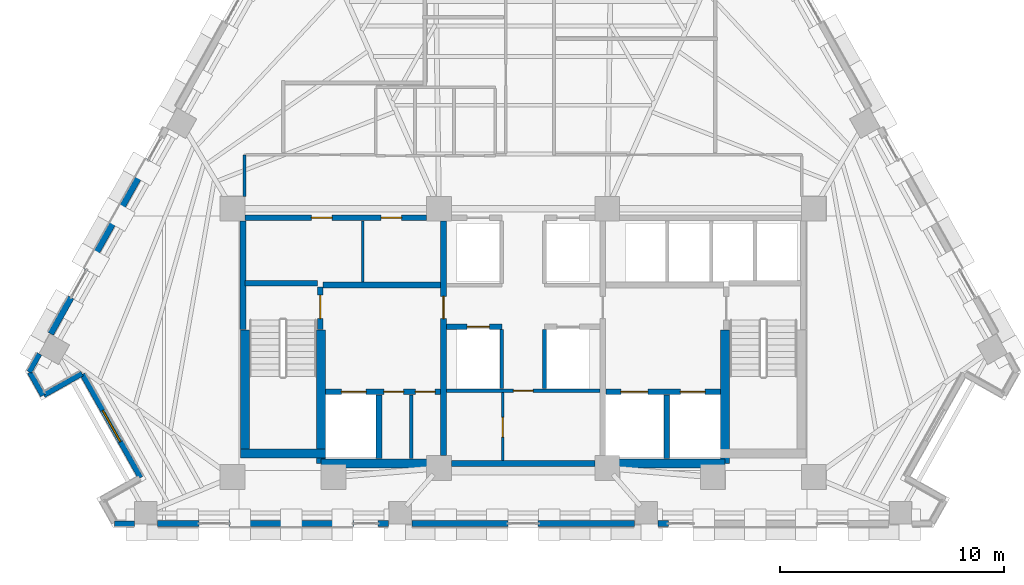
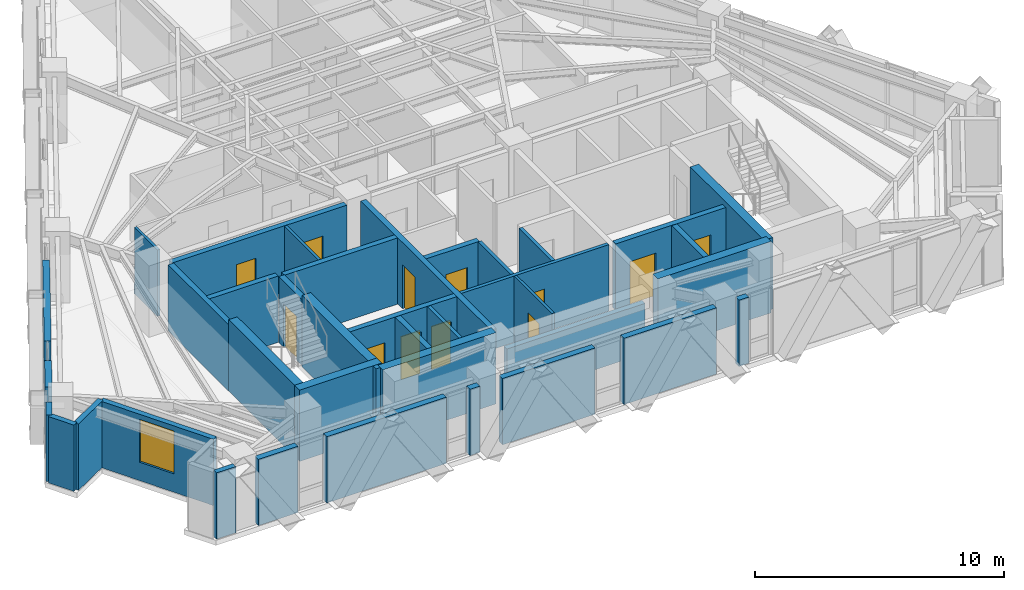
# One storey, part 7 of 13: 38 walls, 12 doors, 1 window, 13 openings.
"""IFC4 building model written with IfcOpenShell, lengths in metres."""

import ifcopenshell
import ifcopenshell.guid

model = None  # the IFC model being written
_history = None  # IfcOwnerHistory: only IFC2X3 demands one
_inside = {}  # id of a spatial element -> (the spatial element, [elements in it])
_under = {}  # id of a project, library or spatial element -> (it, [spatial elements below it])
_declared = {}  # id of a project -> (the project, [libraries it declares])
_typed = {}  # id of a type object -> (the type object, [elements of that type])
_made_of = {}  # id of a material, layer set ... -> (it, [elements and type objects made of it])


def new_model(schema):
    """Start an empty IFC model of exactly this schema.

    Asked for "IFC4X3", IfcOpenShell would pick the latest addendum, in which some entities
    have other attributes; the version numbers below select the first issue.
    IFC2X3 requires an IfcOwnerHistory on every rooted entity: one is made here for all.
    """
    global model, _history
    if schema == "IFC4X3":
        model = ifcopenshell.file(schema_version=(4, 3, 0, 0))
    else:
        model = ifcopenshell.file(schema=schema)
    _inside.clear()
    _under.clear()
    _declared.clear()
    _typed.clear()
    _made_of.clear()
    _history = None
    if model.schema == "IFC2X3":
        org = make("IfcOrganization", Name="unknown")
        user = make(
            "IfcPersonAndOrganization",
            ThePerson=make("IfcPerson", FamilyName="unknown"),
            TheOrganization=org,
        )
        app = make(
            "IfcApplication",
            ApplicationDeveloper=org,
            Version="unknown",
            ApplicationFullName="unknown",
            ApplicationIdentifier="unknown",
        )
        _history = make(
            "IfcOwnerHistory",
            OwningUser=user,
            OwningApplication=app,
            ChangeAction="ADDED",
            CreationDate=0,
        )
    return model


def make(cls, **values):
    """One entity of the class cls with the attributes given. An attribute that is None is left unset."""
    return model.create_entity(
        cls, **{name: value for name, value in values.items() if value is not None}
    )


def rooted(cls, **values):
    """An entity with a GlobalId (a new one), such as an element, a storey or a relation."""
    return make(cls, GlobalId=ifcopenshell.guid.new(), OwnerHistory=_history, **values)


def si_unit(unit_type, name, prefix=None):
    """IfcSIUnit, for example si_unit("LENGTHUNIT", "METRE", prefix="MILLI")."""
    return make("IfcSIUnit", UnitType=unit_type, Prefix=prefix, Name=name)


def assignment(units):
    """IfcUnitAssignment: the units of a project."""
    return None if units is None else make("IfcUnitAssignment", Units=units)


def point(xyz):
    """IfcCartesianPoint."""
    return None if xyz is None else make("IfcCartesianPoint", Coordinates=xyz)


def direction(xyz):
    """IfcDirection."""
    return None if xyz is None else make("IfcDirection", DirectionRatios=xyz)


def frame(location, z_axis=None, x_axis=None):
    """IfcAxis2Placement3D, a coordinate frame: its origin and axes. An axis left out is left unset."""
    return make(
        "IfcAxis2Placement3D",
        Location=point(location),
        Axis=direction(z_axis),
        RefDirection=direction(x_axis),
    )


def frame_2d(location, x_axis=None):
    """IfcAxis2Placement2D, a coordinate frame in the plane: its origin and x axis."""
    return make(
        "IfcAxis2Placement2D", Location=point(location), RefDirection=direction(x_axis)
    )


def origin():
    """The frame at (0, 0, 0) with its axes left unset."""
    return frame((0.0, 0.0, 0.0))


def place(relative_to, where):
    """IfcLocalPlacement: puts the frame where relative to a parent placement (None: the world)."""
    return make(
        "IfcLocalPlacement", PlacementRelTo=relative_to, RelativePlacement=where
    )


def context(
    kind, dimensions, precision=None, world=None, true_north=None, identifier=None
):
    """IfcGeometricRepresentationContext, for example the 3D "Model" context."""
    return make(
        "IfcGeometricRepresentationContext",
        ContextIdentifier=identifier,
        ContextType=kind,
        CoordinateSpaceDimension=dimensions,
        Precision=precision,
        WorldCoordinateSystem=world,
        TrueNorth=true_north,
    )


def subcontext(parent, identifier, kind, view, scale=None):
    """IfcGeometricRepresentationSubContext, for example "Body" below "Model"."""
    return make(
        "IfcGeometricRepresentationSubContext",
        ContextIdentifier=identifier,
        ContextType=kind,
        ParentContext=parent,
        TargetScale=scale,
        TargetView=view,
    )


def project(units=None, contexts=None):
    """IfcProject with its units and contexts."""
    return rooted(
        "IfcProject",
        Name="project",
        RepresentationContexts=contexts,
        UnitsInContext=assignment(units),
    )


def spatial(cls, under=None, at=None, **own):
    """A site, building, storey or space (cls), placed at a placement, below another one or the project."""
    s = rooted(cls, ObjectPlacement=at, **own)
    if under is not None:
        _under.setdefault(under.id(), (under, []))[1].append(s)
    return s


def profile(cls, at=None, kind="AREA", **sizes):
    """A parametric profile (cls). Its sizes go by their IFC names, for example OverallWidth=200.0."""
    return make(cls, ProfileType=kind, Position=at, **sizes)


def rectangle(**sizes):
    """IfcRectangleProfileDef."""
    return profile("IfcRectangleProfileDef", **sizes)


def extrude(swept, where, along, depth):
    """IfcExtrudedAreaSolid: the profile swept, set in the frame where, extruded along a direction by depth."""
    return make(
        "IfcExtrudedAreaSolid",
        SweptArea=swept,
        Position=where,
        ExtrudedDirection=direction(along),
        Depth=depth,
    )


def shape(context_of_items, identifier, shape_type, items):
    """IfcShapeRepresentation: the items that make up one representation, for example the "Body"."""
    return make(
        "IfcShapeRepresentation",
        ContextOfItems=context_of_items,
        RepresentationIdentifier=identifier,
        RepresentationType=shape_type,
        Items=items,
    )


def material(Name=None, Category=None):
    """IfcMaterial."""
    return make("IfcMaterial", Name=Name, Category=Category)


def layer(
    of_material, thickness, ventilated=None, Name=None, Category=None, Priority=None
):
    """IfcMaterialLayer: one layer of a wall or slab, of a material (None: an air gap)."""
    return make(
        "IfcMaterialLayer",
        Material=of_material,
        LayerThickness=thickness,
        IsVentilated=ventilated,
        Name=Name,
        Category=Category,
        Priority=Priority,
    )


def layer_set(layers, Name=None):
    """IfcMaterialLayerSet."""
    return make("IfcMaterialLayerSet", MaterialLayers=layers, LayerSetName=Name)


def made_of(thing, what):
    """Note that an element or type object is made of a material, layer set ...; save() writes the relation."""
    if what is not None:
        _made_of.setdefault(what.id(), (what, []))[1].append(thing)
    return thing


def type_object(cls, material=None, **own):
    """A type object (cls), such as IfcWallType, which elements share."""
    return made_of(rooted(cls, **own), material)


def element(
    cls,
    number,
    at=None,
    inside=None,
    cuts=None,
    type_object=None,
    material=None,
    context=None,
    identifier="Body",
    shape_type=None,
    held_by="IfcProductDefinitionShape",
    body=None,
    shapes=None,
    **own,
):
    """One element of the class cls, such as IfcWall. Its Tag is "e" and its number.

    at: its placement. inside: the storey or other place that contains it. cuts: it is an
    opening in that element (IfcRelVoidsElement). A single representation is given by context,
    identifier, shape_type and body (its items); several are given by shapes. held_by: the class
    of the entity that holds the representations. save() writes the other relations.
    """
    e = rooted(cls, Tag="e%d" % number, ObjectPlacement=at, **own)
    if body is not None:
        shapes = [shape(context, identifier, shape_type, body)]
    if shapes is not None:
        e.Representation = make(held_by, Representations=shapes)
    if inside is not None:
        _inside.setdefault(inside.id(), (inside, []))[1].append(e)
    if cuts is not None:
        rooted(
            "IfcRelVoidsElement", RelatingBuildingElement=cuts, RelatedOpeningElement=e
        )
    if type_object is not None:
        _typed.setdefault(type_object.id(), (type_object, []))[1].append(e)
    return made_of(e, material)


def fill(opening, filler):
    """IfcRelFillsElement: the door or window that sits in an opening."""
    return rooted(
        "IfcRelFillsElement",
        RelatingOpeningElement=opening,
        RelatedBuildingElement=filler,
    )


def aggregate(whole, parts):
    """IfcRelAggregates: a whole, such as a stair, and the parts it consists of."""
    return rooted("IfcRelAggregates", RelatingObject=whole, RelatedObjects=parts)


def save(model, path):
    """Write the relations noted so far, then the file.

    IfcRelAggregates (storeys below a building ...), IfcRelContainedInSpatialStructure (elements
    in a storey), IfcRelDefinesByType, IfcRelAssociatesMaterial and IfcRelDeclares: one each for
    every whole, place, type object, material and project.
    """
    for whole, parts in _under.values():
        aggregate(whole, parts)
    for where, things in _inside.values():
        rooted(
            "IfcRelContainedInSpatialStructure",
            RelatedElements=things,
            RelatingStructure=where,
        )
    for kind, things in _typed.values():
        rooted("IfcRelDefinesByType", RelatedObjects=things, RelatingType=kind)
    for what, things in _made_of.values():
        rooted("IfcRelAssociatesMaterial", RelatedObjects=things, RelatingMaterial=what)
    for by, libraries in _declared.values():
        rooted("IfcRelDeclares", RelatingContext=by, RelatedDefinitions=libraries)
    model.write(path)


model = new_model("IFC4")

# Units and contexts
model_context = context("Model", 3, precision=1e-05, world=origin(), true_north=direction((0.0, 1.0)))
body_context = subcontext(model_context, "Body", "Model", "MODEL_VIEW")
ifc_project = project(units=[si_unit("LENGTHUNIT", "METRE"), si_unit("AREAUNIT", "SQUARE_METRE"), si_unit("VOLUMEUNIT", "CUBIC_METRE"), si_unit("PLANEANGLEUNIT", "RADIAN"), si_unit("MASSUNIT", "GRAM", prefix="KILO")], contexts=[model_context])

# Site, building, storey
site_placement = place(None, origin())
site = spatial("IfcSite", under=ifc_project, at=site_placement, CompositionType="ELEMENT")
building_placement = place(site_placement, origin())
building = spatial("IfcBuilding", under=site, at=building_placement, Name="Quenlor Broadcast Tower", CompositionType="ELEMENT")
storey_placement = place(building_placement, frame((0.0, 0.0, 147.5)))
storey = spatial("IfcBuildingStorey", under=building, at=storey_placement, Name="L40", CompositionType="ELEMENT", Elevation=147.5)

# Walls
ifc_material_1 = material(Name="Concrete C50/60", Category="concrete")
ifc_layer_1 = layer(ifc_material_1, 0.39990234375)
ifc_layer_set_1 = layer_set([ifc_layer_1], Name="Core Concrete C50/60 Shear Wall 400")
wall_type_1 = type_object("IfcWallType", Name="Core Concrete C50/60 Shear Wall 400", PredefinedType="SHEAR", material=ifc_layer_set_1)
wall_1_placement = place(storey_placement, frame((-12.60009765625, -15.699951171875, 0.0), z_axis=(0.0, 0.0, 1.0), x_axis=(1.0, 0.0, 0.0)))
element("IfcWall", 1, at=wall_1_placement, inside=storey, type_object=wall_type_1, Name="L40 Core Shear Wall WS-W1", PredefinedType="SHEAR", context=body_context, shape_type="SweptSolid", body=[
    extrude(rectangle(XDim=3.800048828125, YDim=0.39990234375, at=frame_2d((1.89990234375, 0.0))), origin(), (0.0, 0.0, 1.0), 3.5),
])
for number, where, z_axis, x_axis, name in (
    (2, (-9.0, -16.14990234375, 0.0), (0.0, 0.0, 1.0), (1.0, 0.0, 0.0), "L40 Core Shear Wall WS-W2"),
    (3, (3.75, -16.14990234375, 0.0), (0.0, 0.0, 1.0), (1.0, 0.0, 0.0), "L40 Core Shear Wall WS-E1"),
):
    element("IfcWall", number, at=place(storey_placement, frame(where, z_axis=z_axis, x_axis=x_axis)), inside=storey, type_object=wall_type_1, Name=name, PredefinedType="SHEAR", context=body_context, shape_type="SweptSolid", body=[
        extrude(rectangle(XDim=5.25, YDim=0.39990234375, at=frame_2d((2.625, 0.0))), origin(), (0.0, 0.0, 1.0), 3.5),
    ])
wall_2_placement = place(storey_placement, frame((-12.39990234375, -15.699951171875, 0.0), z_axis=(0.0, 0.0, 1.0), x_axis=(0.0, 1.0, 0.0)))
element("IfcWall", 4, at=wall_2_placement, inside=storey, type_object=wall_type_1, Name="L40 Core Shear Wall WF-W", PredefinedType="SHEAR", context=body_context, shape_type="SweptSolid", body=[
    extrude(rectangle(XDim=5.5, YDim=0.39990234375, at=frame_2d((2.75, 0.0))), origin(), (0.0, 0.0, 1.0), 3.5),
])
for number, where, z_axis, x_axis, name in (
    (5, (-9.0, -16.14990234375, 0.0), (0.0, 0.0, 1.0), (0.0, 1.0, 0.0), "L40 Core Shear Wall WI-W"),
    (6, (9.0, -16.14990234375, 0.0), (0.0, 0.0, 1.0), (0.0, 1.0, 0.0), "L40 Core Shear Wall WI-E"),
):
    element("IfcWall", number, at=place(storey_placement, frame(where, z_axis=z_axis, x_axis=x_axis)), inside=storey, type_object=wall_type_1, Name=name, PredefinedType="SHEAR", context=body_context, shape_type="SweptSolid", body=[
        extrude(rectangle(XDim=5.949951171875, YDim=0.39990234375, at=frame_2d((2.97509765625, 0.0))), origin(), (0.0, 0.0, 1.0), 3.5),
    ])

# Wall, opening, door
ifc_material_2 = material(Name="Concrete C40/50", Category="concrete")
ifc_layer_2 = layer(ifc_material_2, 0.25)
ifc_layer_set_2 = layer_set([ifc_layer_2], Name="Fire Rated Concrete C40/50 Core Wall 250")
wall_type_2 = type_object("IfcWallType", Name="Fire Rated Concrete C40/50 Core Wall 250", PredefinedType="PARTITIONING", material=ifc_layer_set_2)
wall_3_placement = place(storey_placement, frame((-9.0400390625, -10.179931640625, 0.0), z_axis=(0.0, 0.0, 1.0), x_axis=(0.0, 1.0, 0.0)))
wall_3 = element("IfcWall", 7, at=wall_3_placement, inside=storey, type_object=wall_type_2, Name="L40 Interior Wall CW-ST1-DR", PredefinedType="PARTITIONING", context=body_context, shape_type="SweptSolid", body=[
    extrude(rectangle(XDim=1.89990234375, YDim=0.25, at=frame_2d((0.949951171875, 0.0))), origin(), (0.0, 0.0, 1.0), 3.25),
])
opening_1_placement = place(wall_3_placement, frame((0.47998046875, 0.0, 0.0)))
opening_1 = element("IfcOpeningElement", 8, at=opening_1_placement, cuts=wall_3, Name="Opening FD-1", PredefinedType="OPENING", context=body_context, shape_type="SweptSolid", body=[
    extrude(rectangle(XDim=1.050048828125, YDim=2.14990234375, at=frame_2d((0.52490234375, 1.074951171875))), frame((0.0, 0.135009765625, 0.0), z_axis=(0.0, -1.0, 0.0), x_axis=(1.0, 0.0, 0.0)), (0.0, 0.0, 1.0), 0.27001953125),
])
ifc_material_3 = material(Name="Fire Rated Steel Door Leaf", Category="steel")
door_type_1 = type_object("IfcDoorType", Name="Fire Isolated Stair Door 1050x2150", OperationType="NOTDEFINED", PredefinedType="DOOR", material=ifc_material_3)
door_1_placement = place(opening_1_placement, origin())
door_1 = element("IfcDoor", 9, at=door_1_placement, inside=storey, type_object=door_type_1, Name="L40 Door DR-ST1", OperationType="SINGLE_SWING_LEFT", OverallHeight=2.14990234375, OverallWidth=1.050048828125, PredefinedType="DOOR", context=body_context, shape_type="SweptSolid", body=[
    extrude(rectangle(XDim=1.050048828125, YDim=2.14990234375, at=frame_2d((0.52490234375, 1.074951171875))), frame((0.0, 0.02490234375, 0.0), z_axis=(0.0, -1.0, 0.0), x_axis=(1.0, 0.0, 0.0)), (0.0, 0.0, 1.0), 0.050048828125),
])
fill(opening_1, door_1)

# Walls
wall_4_placement = place(storey_placement, frame((-12.3798828125, -8.1201171875, 0.0), z_axis=(0.0, 0.0, 1.0), x_axis=(1.0, 0.0, 0.0)))
element("IfcWall", 10, at=wall_4_placement, inside=storey, type_object=wall_type_2, Name="L40 Interior Wall CW-ST1-N", PredefinedType="PARTITIONING", context=body_context, shape_type="SweptSolid", body=[
    extrude(rectangle(XDim=3.219970703125, YDim=0.25, at=frame_2d((1.60986328125, 0.0))), origin(), (0.0, 0.0, 1.0), 3.25),
])
wall_5_placement = place(storey_placement, frame((-12.47998046875, -10.179931640625, 0.0), z_axis=(0.0, 0.0, 1.0), x_axis=(0.0, 1.0, 0.0)))
element("IfcWall", 11, at=wall_5_placement, inside=storey, type_object=wall_type_2, Name="L40 Interior Wall CW-ST1-W2", PredefinedType="PARTITIONING", context=body_context, shape_type="SweptSolid", body=[
    extrude(rectangle(XDim=4.827880859375, YDim=0.25, at=frame_2d((2.4140625, 0.0))), origin(), (0.0, 0.0, 1.0), 3.25),
])

# Wall, openings, doors
wall_6_placement = place(storey_placement, frame((-8.798095703125, -12.949951171875, 0.0), z_axis=(0.0, 0.0, 1.0), x_axis=(1.0, 0.0, 0.0)))
wall_6 = element("IfcWall", 12, at=wall_6_placement, inside=storey, type_object=wall_type_2, Name="L40 Interior Wall CW-FFW-S", PredefinedType="PARTITIONING", context=body_context, shape_type="SweptSolid", body=[
    extrude(rectangle(XDim=5.1181640625, YDim=0.25, at=frame_2d((2.55908203125, 0.0))), origin(), (0.0, 0.0, 1.0), 3.25),
])
opening_2_placement = place(wall_6_placement, frame((0.697998046875, 0.0, 0.0)))
opening_2 = element("IfcOpeningElement", 13, at=opening_2_placement, cuts=wall_6, Name="Opening LD-FFL-1", PredefinedType="OPENING", context=body_context, shape_type="SweptSolid", body=[
    extrude(rectangle(XDim=1.10009765625, YDim=2.14990234375, at=frame_2d((0.550048828125, 1.074951171875))), frame((0.0, 0.135009765625, 0.0), z_axis=(0.0, -1.0, 0.0), x_axis=(1.0, 0.0, 0.0)), (0.0, 0.0, 1.0), 0.27001953125),
])
opening_3_placement = place(wall_6_placement, frame((2.597900390625, 0.0, 0.0)))
opening_3 = element("IfcOpeningElement", 14, at=opening_3_placement, cuts=wall_6, Name="Opening TD-1", PredefinedType="OPENING", context=body_context, shape_type="SweptSolid", body=[
    extrude(rectangle(XDim=0.8798828125, YDim=2.10009765625, at=frame_2d((0.43994140625, 1.050048828125))), frame((0.0, 0.135009765625, 0.0), z_axis=(0.0, -1.0, 0.0), x_axis=(1.0, 0.0, 0.0)), (0.0, 0.0, 1.0), 0.27001953125),
])
opening_4_placement = place(wall_6_placement, frame((3.998046875, 0.0, 0.0)))
opening_4 = element("IfcOpeningElement", 15, at=opening_4_placement, cuts=wall_6, Name="Opening TD-1", PredefinedType="OPENING", context=body_context, shape_type="SweptSolid", body=[
    extrude(rectangle(XDim=0.8798828125, YDim=2.10009765625, at=frame_2d((0.43994140625, 1.050048828125))), frame((0.0, 0.135009765625, 0.0), z_axis=(0.0, -1.0, 0.0), x_axis=(1.0, 0.0, 0.0)), (0.0, 0.0, 1.0), 0.27001953125),
])
ifc_material_4 = material(Name="Brushed Stainless Steel", Category="steel")
door_type_2 = type_object("IfcDoorType", Name="Emergency Lift Sliding Landing Door 1100x2150", OperationType="NOTDEFINED", PredefinedType="DOOR", material=ifc_material_4)
door_2_placement = place(opening_2_placement, origin())
door_2 = element("IfcDoor", 16, at=door_2_placement, inside=storey, type_object=door_type_2, Name="L40 Door LD-FFL-1", OperationType="SLIDING_TO_LEFT", OverallHeight=2.14990234375, OverallWidth=1.10009765625, PredefinedType="DOOR", context=body_context, shape_type="SweptSolid", body=[
    extrude(rectangle(XDim=1.10009765625, YDim=2.14990234375, at=frame_2d((0.550048828125, 1.074951171875))), frame((0.0, 0.02490234375, 0.0), z_axis=(0.0, -1.0, 0.0), x_axis=(1.0, 0.0, 0.0)), (0.0, 0.0, 1.0), 0.050048828125),
])
fill(opening_2, door_2)
ifc_material_5 = material(Name="Fire Rated Steel Access Panel", Category="steel")
door_type_3 = type_object("IfcDoorType", Name="Riser Shaft Rated Access Trapdoor 880x2100", OperationType="NOTDEFINED", PredefinedType="TRAPDOOR", material=ifc_material_5)
door_3_placement = place(opening_3_placement, origin())
door_3 = element("IfcDoor", 17, at=door_3_placement, inside=storey, type_object=door_type_3, Name="L40 Door DR-ELR", OperationType="SINGLE_SWING_LEFT", OverallHeight=2.10009765625, OverallWidth=0.8798828125, PredefinedType="TRAPDOOR", context=body_context, shape_type="SweptSolid", body=[
    extrude(rectangle(XDim=0.8798828125, YDim=2.10009765625, at=frame_2d((0.43994140625, 1.050048828125))), frame((0.0, 0.02490234375, 0.0), z_axis=(0.0, -1.0, 0.0), x_axis=(1.0, 0.0, 0.0)), (0.0, 0.0, 1.0), 0.050048828125),
])
fill(opening_3, door_3)
door_4_placement = place(opening_4_placement, origin())
door_4 = element("IfcDoor", 18, at=door_4_placement, inside=storey, type_object=door_type_3, Name="L40 Door DR-CMR", OperationType="SINGLE_SWING_RIGHT", OverallHeight=2.10009765625, OverallWidth=0.8798828125, PredefinedType="TRAPDOOR", context=body_context, shape_type="SweptSolid", body=[
    extrude(rectangle(XDim=0.8798828125, YDim=2.10009765625, at=frame_2d((0.43994140625, 1.050048828125))), frame((0.0, 0.02490234375, 0.0), z_axis=(0.0, -1.0, 0.0), x_axis=(1.0, 0.0, 0.0)), (0.0, 0.0, 1.0), 0.050048828125),
])
fill(opening_4, door_4)

wall_7_placement = place(storey_placement, frame((3.679931640625, -12.949951171875, 0.0), z_axis=(0.0, 0.0, 1.0), x_axis=(1.0, 0.0, 0.0)))
wall_7 = element("IfcWall", 19, at=wall_7_placement, inside=storey, type_object=wall_type_2, Name="L40 Interior Wall CW-FFE-S", PredefinedType="PARTITIONING", context=body_context, shape_type="SweptSolid", body=[
    extrude(rectangle(XDim=5.1181640625, YDim=0.25, at=frame_2d((2.55908203125, 0.0))), origin(), (0.0, 0.0, 1.0), 3.25),
])
opening_5_placement = place(wall_7_placement, frame((3.320068359375, 0.0, 0.0)))
opening_5 = element("IfcOpeningElement", 20, at=opening_5_placement, cuts=wall_7, Name="Opening LD-FFL-2", PredefinedType="OPENING", context=body_context, shape_type="SweptSolid", body=[
    extrude(rectangle(XDim=1.10009765625, YDim=2.14990234375, at=frame_2d((0.550048828125, 1.074951171875))), frame((0.0, 0.135009765625, 0.0), z_axis=(0.0, -1.0, 0.0), x_axis=(1.0, 0.0, 0.0)), (0.0, 0.0, 1.0), 0.27001953125),
])
opening_6_placement = place(wall_7_placement, frame((0.669921875, 0.0, 0.0)))
opening_6 = element("IfcOpeningElement", 21, at=opening_6_placement, cuts=wall_7, Name="Opening LD-SVL-1", PredefinedType="OPENING", context=body_context, shape_type="SweptSolid", body=[
    extrude(rectangle(XDim=1.199951171875, YDim=2.14990234375, at=frame_2d((0.60009765625, 1.074951171875))), frame((0.0, 0.135009765625, 0.0), z_axis=(0.0, -1.0, 0.0), x_axis=(1.0, 0.0, 0.0)), (0.0, 0.0, 1.0), 0.27001953125),
])
door_5_placement = place(opening_5_placement, origin())
door_5 = element("IfcDoor", 22, at=door_5_placement, inside=storey, type_object=door_type_2, Name="L40 Door LD-FFL-2", OperationType="SLIDING_TO_RIGHT", OverallHeight=2.14990234375, OverallWidth=1.10009765625, PredefinedType="DOOR", context=body_context, shape_type="SweptSolid", body=[
    extrude(rectangle(XDim=1.10009765625, YDim=2.14990234375, at=frame_2d((0.550048828125, 1.074951171875))), frame((0.0, 0.02490234375, 0.0), z_axis=(0.0, -1.0, 0.0), x_axis=(1.0, 0.0, 0.0)), (0.0, 0.0, 1.0), 0.050048828125),
])
fill(opening_5, door_5)
ifc_material_6 = material(Name="Brushed Stainless Steel", Category="steel")
door_type_4 = type_object("IfcDoorType", Name="Goods Lift Sliding Landing Door 1200x2150", OperationType="NOTDEFINED", PredefinedType="DOOR", material=ifc_material_6)
door_6_placement = place(opening_6_placement, origin())
door_6 = element("IfcDoor", 23, at=door_6_placement, inside=storey, type_object=door_type_4, Name="L40 Door LD-SVL-1", OperationType="SLIDING_TO_LEFT", OverallHeight=2.14990234375, OverallWidth=1.199951171875, PredefinedType="DOOR", context=body_context, shape_type="SweptSolid", body=[
    extrude(rectangle(XDim=1.199951171875, YDim=2.14990234375, at=frame_2d((0.60009765625, 1.074951171875))), frame((0.0, 0.02490234375, 0.0), z_axis=(0.0, -1.0, 0.0), x_axis=(1.0, 0.0, 0.0)), (0.0, 0.0, 1.0), 0.050048828125),
])
fill(opening_6, door_6)

# Walls
for number, where, z_axis, x_axis, name in (
    (24, (-6.419921875, -15.919921875, 0.0), (0.0, 0.0, 1.0), (0.0, 1.0, 0.0), "L40 Interior Wall CW-FF1-E"),
    (25, (6.39990234375, -15.919921875, 0.0), (0.0, 0.0, 1.0), (0.0, 1.0, 0.0), "L40 Interior Wall CW-SV1-E"),
):
    element("IfcWall", number, at=place(storey_placement, frame(where, z_axis=z_axis, x_axis=x_axis)), inside=storey, type_object=wall_type_2, Name=name, PredefinedType="PARTITIONING", context=body_context, shape_type="SweptSolid", body=[
        extrude(rectangle(XDim=2.829833984375, YDim=0.25, at=frame_2d((1.4150390625, 0.0))), origin(), (0.0, 0.0, 1.0), 3.25),
    ])
wall_8_placement = place(storey_placement, frame((-8.919921875, -8.199951171875, 0.0), z_axis=(0.0, 0.0, 1.0), x_axis=(1.0, 0.0, 0.0)))
element("IfcWall", 26, at=wall_8_placement, inside=storey, type_object=wall_type_2, Name="L40 Interior Wall CW-FFW-N", PredefinedType="PARTITIONING", context=body_context, shape_type="SweptSolid", body=[
    extrude(rectangle(XDim=5.239990234375, YDim=0.25, at=frame_2d((2.6201171875, 0.0))), origin(), (0.0, 0.0, 1.0), 3.25),
])

# Wall, opening, door
wall_9_placement = place(storey_placement, frame((-3.550048828125, -15.798095703125, 0.0), z_axis=(0.0, 0.0, 1.0), x_axis=(0.0, 1.0, 0.0)))
wall_9 = element("IfcWall", 27, at=wall_9_placement, inside=storey, type_object=wall_type_2, Name="L40 Interior Wall CW-FFW-E", PredefinedType="PARTITIONING", context=body_context, shape_type="SweptSolid", body=[
    extrude(rectangle(XDim=10.446044921875, YDim=0.25, at=frame_2d((5.22314453125, 0.0))), origin(), (0.0, 0.0, 1.0), 3.25),
])
opening_7_placement = place(wall_9_placement, frame((6.097900390625, 0.0, 0.0)))
opening_7 = element("IfcOpeningElement", 28, at=opening_7_placement, cuts=wall_9, Name="Opening FD-2", PredefinedType="OPENING", context=body_context, shape_type="SweptSolid", body=[
    extrude(rectangle(XDim=1.0, YDim=2.14990234375, at=frame_2d((0.5, 1.074951171875))), frame((0.0, 0.135009765625, 0.0), z_axis=(0.0, -1.0, 0.0), x_axis=(1.0, 0.0, 0.0)), (0.0, 0.0, 1.0), 0.27001953125),
])
ifc_material_7 = material(Name="Fire Rated Glazed Steel Door", Category="steel")
door_type_5 = type_object("IfcDoorType", Name="Firefighting Lobby Smoke Door 1000x2150", OperationType="NOTDEFINED", PredefinedType="DOOR", material=ifc_material_7)
door_7_placement = place(opening_7_placement, origin())
door_7 = element("IfcDoor", 29, at=door_7_placement, inside=storey, type_object=door_type_5, Name="L40 Door DR-FFLW", OperationType="SINGLE_SWING_RIGHT", OverallHeight=2.14990234375, OverallWidth=1.0, PredefinedType="DOOR", context=body_context, shape_type="SweptSolid", body=[
    extrude(rectangle(XDim=1.0, YDim=2.14990234375, at=frame_2d((0.5, 1.074951171875))), frame((0.0, 0.02490234375, 0.0), z_axis=(0.0, -1.0, 0.0), x_axis=(1.0, 0.0, 0.0)), (0.0, 0.0, 1.0), 0.050048828125),
])
fill(opening_7, door_7)

# Wall, openings, doors
wall_10_placement = place(storey_placement, frame((-12.39794921875, -5.199951171875, 0.0), z_axis=(0.0, 0.0, 1.0), x_axis=(1.0, 0.0, 0.0)))
wall_10 = element("IfcWall", 30, at=wall_10_placement, inside=storey, type_object=wall_type_2, Name="L40 Interior Wall CW-N-W", PredefinedType="PARTITIONING", context=body_context, shape_type="SweptSolid", body=[
    extrude(rectangle(XDim=8.095947265625, YDim=0.25, at=frame_2d((4.0478515625, 0.0))), origin(), (0.0, 0.0, 1.0), 3.25),
])
opening_8_placement = place(wall_10_placement, frame((2.968017578125, 0.0, 0.0)))
opening_8 = element("IfcOpeningElement", 31, at=opening_8_placement, cuts=wall_10, Name="Opening ID-1", PredefinedType="OPENING", context=body_context, shape_type="SweptSolid", body=[
    extrude(rectangle(XDim=0.919921875, YDim=2.1201171875, at=frame_2d((0.4599609375, 1.06005859375))), frame((0.0, 0.135009765625, 0.0), z_axis=(0.0, -1.0, 0.0), x_axis=(1.0, 0.0, 0.0)), (0.0, 0.0, 1.0), 0.27001953125),
])
opening_9_placement = place(wall_10_placement, frame((6.068115234375, 0.0, 0.0)))
opening_9 = element("IfcOpeningElement", 32, at=opening_9_placement, cuts=wall_10, Name="Opening ID-1", PredefinedType="OPENING", context=body_context, shape_type="SweptSolid", body=[
    extrude(rectangle(XDim=0.919921875, YDim=2.1201171875, at=frame_2d((0.4599609375, 1.06005859375))), frame((0.0, 0.135009765625, 0.0), z_axis=(0.0, -1.0, 0.0), x_axis=(1.0, 0.0, 0.0)), (0.0, 0.0, 1.0), 0.27001953125),
])
ifc_material_8 = material(Name="Solid Core Timber Oak", Category="wood")
door_type_6 = type_object("IfcDoorType", Name="Single Leaf Timber Office Door 920x2120", OperationType="NOTDEFINED", PredefinedType="DOOR", material=ifc_material_8)
door_8_placement = place(opening_8_placement, origin())
door_8 = element("IfcDoor", 33, at=door_8_placement, inside=storey, type_object=door_type_6, Name="L40 Door DR-RCL1", OperationType="SINGLE_SWING_LEFT", OverallHeight=2.1201171875, OverallWidth=0.919921875, PredefinedType="DOOR", context=body_context, shape_type="SweptSolid", body=[
    extrude(rectangle(XDim=0.919921875, YDim=2.1201171875, at=frame_2d((0.4599609375, 1.06005859375))), frame((0.0, 0.02490234375, 0.0), z_axis=(0.0, -1.0, 0.0), x_axis=(1.0, 0.0, 0.0)), (0.0, 0.0, 1.0), 0.050048828125),
])
fill(opening_8, door_8)
door_9_placement = place(opening_9_placement, origin())
door_9 = element("IfcDoor", 34, at=door_9_placement, inside=storey, type_object=door_type_6, Name="L40 Door DR-RCL2", OperationType="SINGLE_SWING_RIGHT", OverallHeight=2.1201171875, OverallWidth=0.919921875, PredefinedType="DOOR", context=body_context, shape_type="SweptSolid", body=[
    extrude(rectangle(XDim=0.919921875, YDim=2.1201171875, at=frame_2d((0.4599609375, 1.06005859375))), frame((0.0, 0.02490234375, 0.0), z_axis=(0.0, -1.0, 0.0), x_axis=(1.0, 0.0, 0.0)), (0.0, 0.0, 1.0), 0.050048828125),
])
fill(opening_9, door_9)

# Wall
wall_11_placement = place(storey_placement, frame((-3.197998046875, -16.14990234375, 0.0), z_axis=(0.0, 0.0, 1.0), x_axis=(1.0, 0.0, 0.0)))
element("IfcWall", 35, at=wall_11_placement, inside=storey, type_object=wall_type_2, Name="L40 Interior Wall CW-MS-S", PredefinedType="PARTITIONING", context=body_context, shape_type="SweptSolid", body=[
    extrude(rectangle(XDim=6.39599609375, YDim=0.25, at=frame_2d((3.197998046875, 0.0))), origin(), (0.0, 0.0, 1.0), 2.449951171875),
])

# Wall, opening, door
wall_12_placement = place(storey_placement, frame((-3.419921875, -10.050048828125, 0.0), z_axis=(0.0, 0.0, 1.0), x_axis=(1.0, 0.0, 0.0)))
wall_12 = element("IfcWall", 36, at=wall_12_placement, inside=storey, type_object=wall_type_2, Name="L40 Interior Wall CW-MS-N1", PredefinedType="PARTITIONING", context=body_context, shape_type="SweptSolid", body=[
    extrude(rectangle(XDim=2.469970703125, YDim=0.25, at=frame_2d((1.23486328125, 0.0))), origin(), (0.0, 0.0, 1.0), 3.25),
])
opening_10_placement = place(wall_12_placement, frame((0.919921875, 0.0, 0.0)))
opening_10 = element("IfcOpeningElement", 37, at=opening_10_placement, cuts=wall_12, Name="Opening LD-PL-M3", PredefinedType="OPENING", context=body_context, shape_type="SweptSolid", body=[
    extrude(rectangle(XDim=1.0, YDim=2.14990234375, at=frame_2d((0.5, 1.074951171875))), frame((0.0, 0.135009765625, 0.0), z_axis=(0.0, -1.0, 0.0), x_axis=(1.0, 0.0, 0.0)), (0.0, 0.0, 1.0), 0.27001953125),
])
ifc_material_9 = material(Name="Brushed Stainless Steel", Category="steel")
door_type_7 = type_object("IfcDoorType", Name="Passenger Lift Sliding Landing Door 1000x2150", OperationType="NOTDEFINED", PredefinedType="DOOR", material=ifc_material_9)
door_10_placement = place(opening_10_placement, origin())
door_10 = element("IfcDoor", 38, at=door_10_placement, inside=storey, type_object=door_type_7, Name="L40 Door LD-PL-M3", OperationType="SLIDING_TO_LEFT", OverallHeight=2.14990234375, OverallWidth=1.0, PredefinedType="DOOR", context=body_context, shape_type="SweptSolid", body=[
    extrude(rectangle(XDim=1.0, YDim=2.14990234375, at=frame_2d((0.5, 1.074951171875))), frame((0.0, 0.02490234375, 0.0), z_axis=(0.0, -1.0, 0.0), x_axis=(1.0, 0.0, 0.0)), (0.0, 0.0, 1.0), 0.050048828125),
])
fill(opening_10, door_10)

# Wall
ifc_material_10 = material(Name="Gypsum Fireboard Partition", Category="other")
ifc_layer_3 = layer(ifc_material_10, 0.159912109375)
ifc_layer_set_3 = layer_set([ifc_layer_3], Name="Fire Rated Shaft and Corridor Partition 160")
wall_type_3 = type_object("IfcWallType", Name="Fire Rated Shaft and Corridor Partition 160", PredefinedType="PARTITIONING", material=ifc_layer_set_3)
wall_13_placement = place(storey_placement, frame((-4.97998046875, -15.919921875, 0.0), z_axis=(0.0, 0.0, 1.0), x_axis=(0.0, 1.0, 0.0)))
element("IfcWall", 39, at=wall_13_placement, inside=storey, type_object=wall_type_3, Name="L40 Interior Wall CW-ELR-E", PredefinedType="PARTITIONING", context=body_context, shape_type="SweptSolid", body=[
    extrude(rectangle(XDim=2.829833984375, YDim=0.159912109375, at=frame_2d((1.4150390625, 0.0))), origin(), (0.0, 0.0, 1.0), 3.25),
])

# Wall, opening, door
wall_14_placement = place(storey_placement, frame((-3.419921875, -12.89990234375, 0.0), z_axis=(0.0, 0.0, 1.0), x_axis=(1.0, 0.0, 0.0)))
wall_14 = element("IfcWall", 40, at=wall_14_placement, inside=storey, type_object=wall_type_3, Name="L40 Interior Wall CW-MS-B", PredefinedType="PARTITIONING", context=body_context, shape_type="SweptSolid", body=[
    extrude(rectangle(XDim=6.83984375, YDim=0.159912109375, at=frame_2d((3.419921875, 0.0))), origin(), (0.0, 0.0, 1.0), 3.25),
])
opening_11_placement = place(wall_14_placement, frame((2.97998046875, 0.0, 0.0)))
opening_11 = element("IfcOpeningElement", 41, at=opening_11_placement, cuts=wall_14, Name="Opening ID-4", PredefinedType="OPENING", context=body_context, shape_type="SweptSolid", body=[
    extrude(rectangle(XDim=0.8798828125, YDim=2.1201171875, at=frame_2d((0.43994140625, 1.06005859375))), frame((0.0, 0.08984375, 0.0), z_axis=(0.0, -1.0, 0.0), x_axis=(1.0, 0.0, 0.0)), (0.0, 0.0, 1.0), 0.179931640625),
])
ifc_material_11 = material(Name="Solid Core Timber Oak", Category="wood")
door_type_8 = type_object("IfcDoorType", Name="Service Closet Timber Door 880x2120", OperationType="NOTDEFINED", PredefinedType="DOOR", material=ifc_material_11)
door_11_placement = place(opening_11_placement, origin())
door_11 = element("IfcDoor", 42, at=door_11_placement, inside=storey, type_object=door_type_8, Name="L40 Door DR-CSV0", OperationType="SINGLE_SWING_LEFT", OverallHeight=2.1201171875, OverallWidth=0.8798828125, PredefinedType="DOOR", context=body_context, shape_type="SweptSolid", body=[
    extrude(rectangle(XDim=0.8798828125, YDim=2.1201171875, at=frame_2d((0.43994140625, 1.06005859375))), frame((0.0, 0.02490234375, 0.0), z_axis=(0.0, -1.0, 0.0), x_axis=(1.0, 0.0, 0.0)), (0.0, 0.0, 1.0), 0.050048828125),
])
fill(opening_11, door_11)

# Walls
for number, where, z_axis, x_axis, name in (
    (43, (-0.949951171875, -12.818115234375, 0.0), (0.0, 0.0, 1.0), (0.0, 1.0, 0.0), "L40 Interior Wall CW-MS-W"),
    (44, (0.949951171875, -12.818115234375, 0.0), (0.0, 0.0, 1.0), (0.0, 1.0, 0.0), "L40 Interior Wall CW-MS-E"),
):
    element("IfcWall", number, at=place(storey_placement, frame(where, z_axis=z_axis, x_axis=x_axis)), inside=storey, type_object=wall_type_3, Name=name, PredefinedType="PARTITIONING", context=body_context, shape_type="SweptSolid", body=[
        extrude(rectangle(XDim=2.63818359375, YDim=0.159912109375, at=frame_2d((1.319091796875, 0.0))), origin(), (0.0, 0.0, 1.0), 3.25),
    ])
ifc_material_12 = material(Name="Gypsum Plasterboard Partition", Category="other")
ifc_layer_4 = layer(ifc_material_12, 0.1201171875)
ifc_layer_set_4 = layer_set([ifc_layer_4], Name="Standard Office Partition 120")
wall_type_4 = type_object("IfcWallType", Name="Standard Office Partition 120", PredefinedType="PARTITIONING", material=ifc_layer_set_4)
wall_15_placement = place(storey_placement, frame((-7.14990234375, -8.072998046875, 0.0), z_axis=(0.0, 0.0, 1.0), x_axis=(0.0, 1.0, 0.0)))
element("IfcWall", 45, at=wall_15_placement, inside=storey, type_object=wall_type_4, Name="L40 Interior Wall CW-RCL-MID", PredefinedType="PARTITIONING", context=body_context, shape_type="SweptSolid", body=[
    extrude(rectangle(XDim=2.73291015625, YDim=0.1201171875, at=frame_2d((1.366455078125, 0.0))), origin(), (0.0, 0.0, 1.0), 3.25),
])

# Wall, opening, door
wall_16_placement = place(storey_placement, frame((-0.909912109375, -16.02001953125, 0.0), z_axis=(0.0, 0.0, 1.0), x_axis=(0.0, 1.0, 0.0)))
wall_16 = element("IfcWall", 46, at=wall_16_placement, inside=storey, type_object=wall_type_4, Name="L40 Interior Wall CW-CSV-W1", PredefinedType="PARTITIONING", context=body_context, shape_type="SweptSolid", body=[
    extrude(rectangle(XDim=3.0380859375, YDim=0.1201171875, at=frame_2d((1.51904296875, 0.0))), origin(), (0.0, 0.0, 1.0), 3.25),
])
opening_12_placement = place(wall_16_placement, frame((1.050048828125, 0.0, 0.0)))
opening_12 = element("IfcOpeningElement", 47, at=opening_12_placement, cuts=wall_16, Name="Opening ID-4", PredefinedType="OPENING", context=body_context, shape_type="SweptSolid", body=[
    extrude(rectangle(XDim=0.8798828125, YDim=2.1201171875, at=frame_2d((0.43994140625, 1.06005859375))), frame((0.0, 0.070068359375, 0.0), z_axis=(0.0, -1.0, 0.0), x_axis=(1.0, 0.0, 0.0)), (0.0, 0.0, 1.0), 0.14013671875),
])
door_12_placement = place(opening_12_placement, origin())
door_12 = element("IfcDoor", 48, at=door_12_placement, inside=storey, type_object=door_type_8, Name="L40 Door DR-CSV1", OperationType="SINGLE_SWING_LEFT", OverallHeight=2.1201171875, OverallWidth=0.8798828125, PredefinedType="DOOR", context=body_context, shape_type="SweptSolid", body=[
    extrude(rectangle(XDim=0.8798828125, YDim=2.1201171875, at=frame_2d((0.43994140625, 1.06005859375))), frame((0.0, 0.02490234375, 0.0), z_axis=(0.0, -1.0, 0.0), x_axis=(1.0, 0.0, 0.0)), (0.0, 0.0, 1.0), 0.050048828125),
])
fill(opening_12, door_12)

# Walls
wall_17_placement = place(storey_placement, frame((-12.409912109375, -4.248046875, 0.0), z_axis=(0.0, 0.0, 1.0), x_axis=(0.0, 1.0, 0.0)))
element("IfcWall", 49, at=wall_17_placement, inside=storey, type_object=wall_type_4, Name="L40 Interior Wall PW-CR-01", PredefinedType="PARTITIONING", context=body_context, shape_type="SweptSolid", body=[
    extrude(rectangle(XDim=1.84814453125, YDim=0.1201171875, at=frame_2d((0.924072265625, 0.0))), origin(), (0.0, 0.0, 1.0), 3.25),
])
ifc_material_13 = material(Name="Precast concrete C40/50", Category="concrete")
ifc_layer_5 = layer(ifc_material_13, 0.239990234375)
ifc_layer_set_5 = layer_set([ifc_layer_5], Name="Terrace Threshold Precast Concrete C40/50 Wall 240")
wall_type_5 = type_object("IfcWallType", Name="Terrace Threshold Precast Concrete C40/50 Wall 240", PredefinedType="STANDARD", material=ifc_layer_set_5)
wall_18_placement = place(storey_placement, frame((-17.3134765625, -18.824951171875, 0.0), z_axis=(0.0, 0.0, 1.0), x_axis=(-1.0, 0.0, 0.0)))
element("IfcWall", 50, at=wall_18_placement, inside=storey, type_object=wall_type_5, Name="L40 Exterior Wall L40-SHD-SS1", PredefinedType="STANDARD", context=body_context, shape_type="SweptSolid", body=[
    extrude(rectangle(XDim=0.896484375, YDim=0.239990234375, at=frame_2d((0.4482421875, 0.0))), origin(), (0.0, 0.0, 1.0), 3.25),
])
wall_19_placement = place(storey_placement, frame((-22.003173828125, -12.073486328125, 0.0), z_axis=(0.0, 0.0, 1.0), x_axis=(0.490248718924, 0.871582579905, 0.0)))
element("IfcWall", 51, at=wall_19_placement, inside=storey, type_object=wall_type_5, Name="L40 Exterior Wall L40-SHD-NWS0", PredefinedType="STANDARD", context=body_context, shape_type="SweptSolid", body=[
    extrude(rectangle(XDim=0.92578125, YDim=0.239990234375, at=frame_2d((0.462890625, 0.0))), origin(), (0.0, 0.0, 1.0), 3.25),
])
wall_20_placement = place(storey_placement, frame((-21.976806640625, -12.08349609375, 0.0), z_axis=(0.0, 0.0, 1.0), x_axis=(0.490154352582, -0.871635652463, 0.0)))
element("IfcWall", 52, at=wall_20_placement, inside=storey, type_object=wall_type_5, Name="L40 Exterior Wall L40-CNR-12", PredefinedType="STANDARD", context=body_context, shape_type="SweptSolid", body=[
    extrude(rectangle(XDim=1.19287109375, YDim=0.239990234375, at=frame_2d((0.596435546875, 0.0))), origin(), (0.0, 0.0, 1.0), 3.25),
])
wall_21_placement = place(storey_placement, frame((-21.357421875, -13.103515625, 0.0), z_axis=(0.0, 0.0, 1.0), x_axis=(0.871595493845, 0.490225759328, 0.0)))
element("IfcWall", 53, at=wall_21_placement, inside=storey, type_object=wall_type_5, Name="L40 Exterior Wall L40-CNR-13", PredefinedType="STANDARD", context=body_context, shape_type="SweptSolid", body=[
    extrude(rectangle(XDim=1.960205078125, YDim=0.239990234375, at=frame_2d((0.97998046875, 0.0))), origin(), (0.0, 0.0, 1.0), 3.25),
])

# Wall, opening, window
wall_22_placement = place(storey_placement, frame((-19.62939453125, -12.177490234375, 0.0), z_axis=(0.0, 0.0, 1.0), x_axis=(0.490276606961, -0.871566892824, 0.0)))
wall_22 = element("IfcWall", 54, at=wall_22_placement, inside=storey, type_object=wall_type_5, Name="L40 Exterior Wall L40-CNR-14", PredefinedType="STANDARD", context=body_context, shape_type="SweptSolid", body=[
    extrude(rectangle(XDim=5.280029296875, YDim=0.239990234375, at=frame_2d((2.64013671875, 0.0))), origin(), (0.0, 0.0, 1.0), 3.25),
])
opening_13_placement = place(wall_22_placement, frame((1.840087890625, 0.0, 0.89990234375)))
opening_13 = element("IfcOpeningElement", 55, at=opening_13_placement, cuts=wall_22, Name="Opening WN-2", PredefinedType="OPENING", context=body_context, shape_type="SweptSolid", body=[
    extrude(rectangle(XDim=1.60009765625, YDim=2.10009765625, at=frame_2d((0.800048828125, 1.050048828125))), frame((0.0, 0.1298828125, 0.0), z_axis=(0.0, -1.0, 0.0), x_axis=(1.0, 0.0, 0.0)), (0.0, 0.0, 1.0), 0.260009765625),
])
ifc_material_14 = material(Name="Thermally Broken Aluminium and Low-E Glass", Category="aluminium")
window_type = type_object("IfcWindowType", Name="Tower Studio Punched Window 1600x2100", PartitioningType="SINGLE_PANEL", PredefinedType="WINDOW", material=ifc_material_14)
window_placement = place(opening_13_placement, origin())
window = element("IfcWindow", 56, at=window_placement, inside=storey, type_object=window_type, Name="L40 Corner Chamfer Window 14", OverallHeight=2.10009765625, OverallWidth=1.60009765625, PartitioningType="SINGLE_PANEL", PredefinedType="WINDOW", context=body_context, shape_type="SweptSolid", body=[
    extrude(rectangle(XDim=1.60009765625, YDim=2.10009765625, at=frame_2d((0.800048828125, 1.050048828125))), frame((0.0, 0.030029296875, 0.0), z_axis=(0.0, -1.0, 0.0), x_axis=(1.0, 0.0, 0.0)), (0.0, 0.0, 1.0), 0.06005859375),
])
fill(opening_13, window)

# Walls
ifc_material_15 = material(Name="Precast concrete C40/50", Category="concrete")
ifc_layer_6 = layer(ifc_material_15, 0.280029296875)
ifc_layer_set_6 = layer_set([ifc_layer_6], Name="Terracotta Precast Concrete C40/50 Facade Wall 280")
wall_type_6 = type_object("IfcWallType", Name="Terracotta Precast Concrete C40/50 Facade Wall 280", PredefinedType="STANDARD", material=ifc_layer_set_6)
for number, where, z_axis, x_axis, name in (
    (57, (6.466064453125, -18.824951171875, 0.0), (0.0, 0.0, 1.0), (-1.0, 0.0, 0.0), "L40 Exterior Wall L40-SA-SP3"),
    (58, (-6.006103515625, -18.824951171875, 0.0), (0.0, 0.0, 1.0), (-1.0, 0.0, 0.0), "L40 Exterior Wall L40-SC-SP1"),
):
    element("IfcWall", number, at=place(storey_placement, frame(where, z_axis=z_axis, x_axis=x_axis)), inside=storey, type_object=wall_type_6, Name=name, PredefinedType="STANDARD", context=body_context, shape_type="SweptSolid", body=[
        extrude(rectangle(XDim=0.4599609375, YDim=0.280029296875, at=frame_2d((0.22998046875, 0.0))), origin(), (0.0, 0.0, 1.0), 3.25),
    ])
wall_23_placement = place(storey_placement, frame((-7.556884765625, -18.824951171875, 0.0), z_axis=(0.0, 0.0, 1.0), x_axis=(-1.0, 0.0, 0.0)))
element("IfcWall", 59, at=wall_23_placement, inside=storey, type_object=wall_type_6, Name="L40 Exterior Wall L40-SC-SP2", PredefinedType="STANDARD", context=body_context, shape_type="SweptSolid", body=[
    extrude(rectangle(XDim=5.550048828125, YDim=0.280029296875, at=frame_2d((2.77490234375, 0.0))), origin(), (0.0, 0.0, 1.0), 3.25),
])
wall_24_placement = place(storey_placement, frame((-14.445068359375, -18.824951171875, 0.0), z_axis=(0.0, 0.0, 1.0), x_axis=(-1.0, 0.0, 0.0)))
element("IfcWall", 60, at=wall_24_placement, inside=storey, type_object=wall_type_6, Name="L40 Exterior Wall L40-SC-SP3", PredefinedType="STANDARD", context=body_context, shape_type="SweptSolid", body=[
    extrude(rectangle(XDim=1.83837890625, YDim=0.280029296875, at=frame_2d((0.919189453125, 0.0))), origin(), (0.0, 0.0, 1.0), 3.25),
])
for number, where, z_axis, x_axis, name in (
    (61, (4.9609375, -18.824951171875, 0.0), (0.0, 0.0, 1.0), (-1.0, 0.0, 0.0), "L40 Exterior Wall L40-S-SP1"),
    (62, (-0.6689453125, -18.824951171875, 0.0), (0.0, 0.0, 1.0), (-1.0, 0.0, 0.0), "L40 Exterior Wall L40-S-SP2"),
):
    element("IfcWall", number, at=place(storey_placement, frame(where, z_axis=z_axis, x_axis=x_axis)), inside=storey, type_object=wall_type_6, Name=name, PredefinedType="STANDARD", context=body_context, shape_type="SweptSolid", body=[
        extrude(rectangle(XDim=4.2919921875, YDim=0.280029296875, at=frame_2d((2.14599609375, 0.0))), origin(), (0.0, 0.0, 1.0), 3.25),
    ])
wall_25_placement = place(storey_placement, frame((-21.044189453125, -10.368896484375, 0.0), z_axis=(0.0, 0.0, 1.0), x_axis=(0.490248749158, 0.871582562899, 0.0)))
element("IfcWall", 63, at=wall_25_placement, inside=storey, type_object=wall_type_6, Name="L40 Exterior Wall L40-NWA-SP1", PredefinedType="STANDARD", context=body_context, shape_type="SweptSolid", body=[
    extrude(rectangle(XDim=1.85595703125, YDim=0.280029296875, at=frame_2d((0.927978515625, 0.0))), origin(), (0.0, 0.0, 1.0), 3.25),
])
wall_26_placement = place(storey_placement, frame((-19.452880859375, -7.5400390625, 0.0), z_axis=(0.0, 0.0, 1.0), x_axis=(0.490238645956, 0.871588245682, 0.0)))
element("IfcWall", 64, at=wall_26_placement, inside=storey, type_object=wall_type_6, Name="L40 Exterior Wall L40-NWA-SP2", PredefinedType="STANDARD", context=body_context, shape_type="SweptSolid", body=[
    extrude(rectangle(XDim=5.643310546875, YDim=0.280029296875, at=frame_2d((2.82177734375, 0.0))), origin(), (0.0, 0.0, 1.0), 3.25),
])

save(model, "model.ifc")
